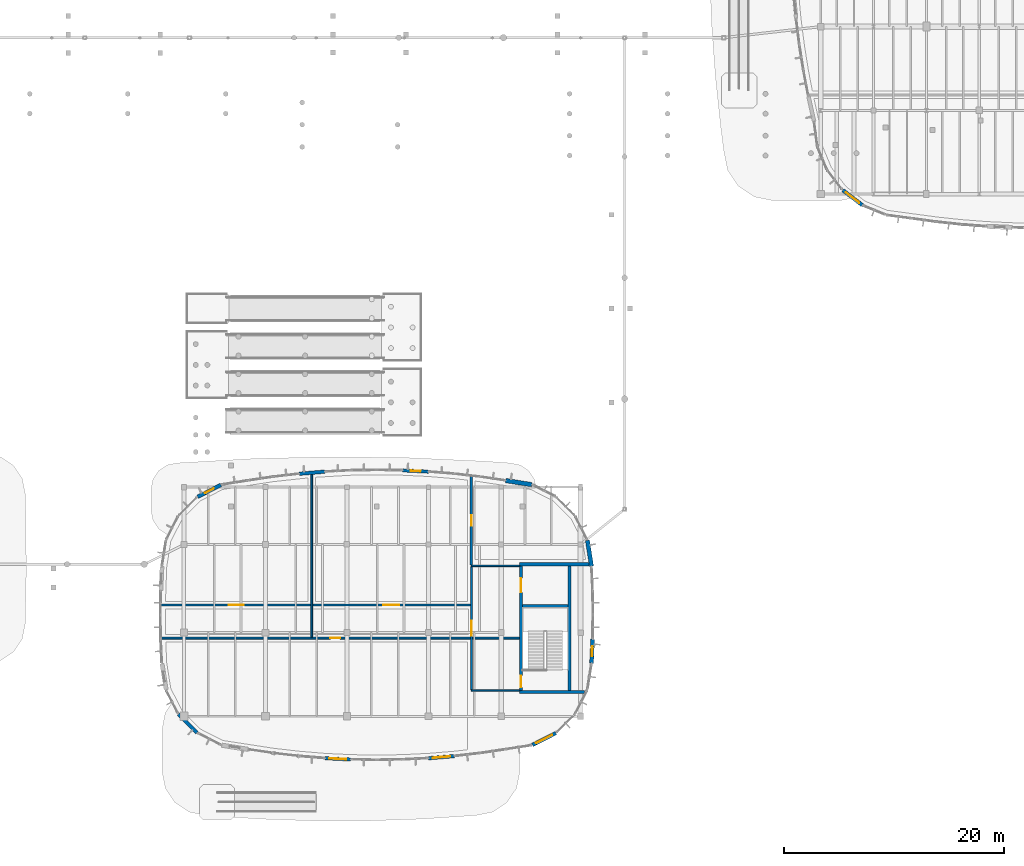
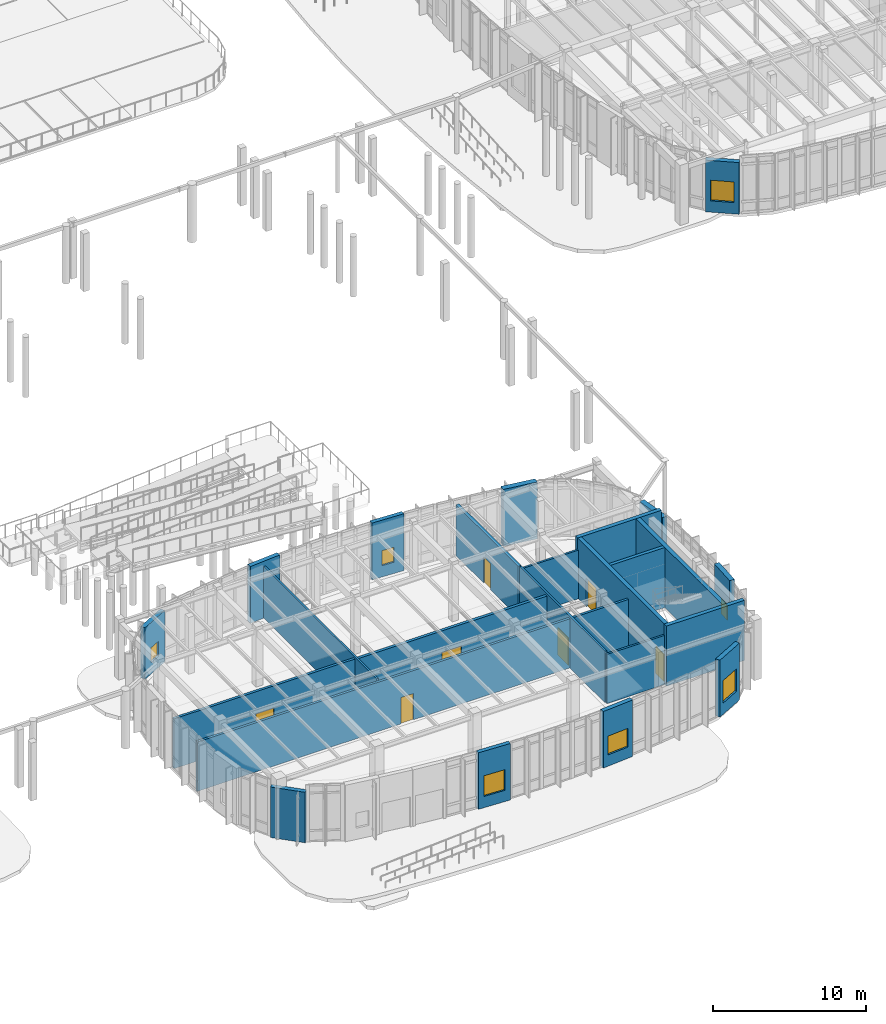
# One storey, part 90 of 120: 24 walls, 7 doors, 7 windows, 14 openings.
"""IFC4 building model written with IfcOpenShell, lengths in metres."""

from ifc_helpers import new_model, si_unit, direction, frame, frame_2d, origin, place, context, subcontext, project, spatial, rectangle, extrude, material, layer, layer_set, type_object, element, fill, save


model = new_model("IFC4")

# Units and contexts
model_context = context("Model", 3, precision=1e-05, world=origin(), true_north=direction((0.0, 1.0)))
body_context = subcontext(model_context, "Body", "Model", "MODEL_VIEW")
ifc_project = project(units=[si_unit("LENGTHUNIT", "METRE"), si_unit("AREAUNIT", "SQUARE_METRE"), si_unit("VOLUMEUNIT", "CUBIC_METRE"), si_unit("PLANEANGLEUNIT", "RADIAN"), si_unit("MASSUNIT", "GRAM", prefix="KILO")], contexts=[model_context])

# Site, building, storey
site_placement = place(None, origin())
site = spatial("IfcSite", under=ifc_project, at=site_placement, CompositionType="ELEMENT")
building_placement = place(site_placement, origin())
building = spatial("IfcBuilding", under=site, at=building_placement, Name="Corveleigh Park Community Centre", CompositionType="ELEMENT")
storey_placement = place(building_placement, origin())
storey = spatial("IfcBuildingStorey", under=building, at=storey_placement, Name="L00", CompositionType="ELEMENT", Elevation=0.0)

# Wall, opening, window
ifc_material_1 = material(Name="Precast concrete C40/50", Category="concrete")
ifc_layer_1 = layer(ifc_material_1, 0.300048828125, Name="Precast concrete C40/50", Category="concrete")
ifc_layer_set_1 = layer_set([ifc_layer_1], Name="Precast concrete C40/50")
wall_type_1 = type_object("IfcWallType", Name="WL-EXT-300", PredefinedType="STANDARD", material=ifc_layer_set_1)
wall_1_placement = place(storey_placement, frame((87.14111328125, 7.278076171875, 0.0), z_axis=(0.0, 0.0, 1.0), x_axis=(-0.998763795086, 0.049707963398, 0.0)))
wall_1 = element("IfcWall", 1, at=wall_1_placement, inside=storey, type_object=wall_type_1, Name="V3 L00 Precast Facade Wall", PredefinedType="STANDARD", context=body_context, shape_type="SweptSolid", body=[
    extrude(rectangle(XDim=2.3330078125, YDim=0.300048828125, at=frame_2d((1.16650390625, 0.0))), origin(), (0.0, 0.0, 1.0), 4.511962890625),
])
opening_1_placement = place(wall_1_placement, frame((0.39208984375, 0.0, 0.89990234375)))
opening_1 = element("IfcOpeningElement", 2, at=opening_1_placement, cuts=wall_1, Name="Opening W12", PredefinedType="OPENING", context=body_context, shape_type="SweptSolid", body=[
    extrude(rectangle(XDim=1.550048828125, YDim=1.64990234375, at=frame_2d((0.77490234375, 0.824951171875))), frame((0.0, 0.159912109375, 0.0), z_axis=(0.0, -1.0, 0.0), x_axis=(1.0, 0.0, 0.0)), (0.0, 0.0, 1.0), 0.320068359375),
])
ifc_material_2 = material(Name="Low-E double glazing", Category="glass")
window_type_1 = type_object("IfcWindowType", Name="WIN-EXT-1550x1650", PartitioningType="SINGLE_PANEL", PredefinedType="WINDOW", material=ifc_material_2)
window_1_placement = place(opening_1_placement, origin())
window_1 = element("IfcWindow", 3, at=window_1_placement, inside=storey, type_object=window_type_1, Name="V3 L00 Window 12", OverallHeight=1.64990234375, OverallWidth=1.550048828125, PartitioningType="SINGLE_PANEL", PredefinedType="WINDOW", context=body_context, shape_type="SweptSolid", body=[
    extrude(rectangle(XDim=1.550048828125, YDim=1.64990234375, at=frame_2d((0.77490234375, 0.824951171875))), frame((0.0, 0.030029296875, 0.0), z_axis=(0.0, -1.0, 0.0), x_axis=(1.0, 0.0, 0.0)), (0.0, 0.0, 1.0), 0.06005859375),
])
fill(opening_1, window_1)

wall_2_placement = place(storey_placement, frame((91.85888671875, 33.52197265625, 0.0), z_axis=(0.0, 0.0, 1.0), x_axis=(0.998763795086, -0.049707963398, 0.0)))
wall_2 = element("IfcWall", 4, at=wall_2_placement, inside=storey, type_object=wall_type_1, Name="V3 L00 Precast Facade Wall", PredefinedType="STANDARD", context=body_context, shape_type="SweptSolid", body=[
    extrude(rectangle(XDim=2.3330078125, YDim=0.300048828125, at=frame_2d((1.16650390625, 0.0))), origin(), (0.0, 0.0, 1.0), 4.537109375),
])
opening_2_placement = place(wall_2_placement, frame((0.717041015625, 0.0, 0.89990234375)))
opening_2 = element("IfcOpeningElement", 5, at=opening_2_placement, cuts=wall_2, Name="Opening W01", PredefinedType="OPENING", context=body_context, shape_type="SweptSolid", body=[
    extrude(rectangle(XDim=0.89990234375, YDim=1.199951171875, at=frame_2d((0.449951171875, 0.60009765625))), frame((0.0, 0.159912109375, 0.0), z_axis=(0.0, -1.0, 0.0), x_axis=(1.0, 0.0, 0.0)), (0.0, 0.0, 1.0), 0.320068359375),
])
window_type_2 = type_object("IfcWindowType", Name="WIN-EXT-0900x1200", PartitioningType="SINGLE_PANEL", PredefinedType="WINDOW", material=ifc_material_2)
window_2_placement = place(opening_2_placement, origin())
window_2 = element("IfcWindow", 6, at=window_2_placement, inside=storey, type_object=window_type_2, Name="V3 L00 Window 16", OverallHeight=1.199951171875, OverallWidth=0.89990234375, PartitioningType="SINGLE_PANEL", PredefinedType="WINDOW", context=body_context, shape_type="SweptSolid", body=[
    extrude(rectangle(XDim=0.89990234375, YDim=1.199951171875, at=frame_2d((0.449951171875, 0.60009765625))), frame((0.0, 0.030029296875, 0.0), z_axis=(0.0, -1.0, 0.0), x_axis=(1.0, 0.0, 0.0)), (0.0, 0.0, 1.0), 0.06005859375),
])
fill(opening_2, window_2)

ifc_layer_2 = layer(ifc_material_1, 0.320068359375, Name="Precast concrete C40/50", Category="concrete")
ifc_layer_set_2 = layer_set([ifc_layer_2], Name="Precast concrete C40/50")
wall_type_2 = type_object("IfcWallType", Name="WL-EXT-320", PredefinedType="STANDARD", material=ifc_layer_set_2)
wall_3_placement = place(storey_placement, frame((96.531005859375, 7.5849609375, 0.0), z_axis=(0.0, 0.0, 1.0), x_axis=(-0.996676640199, -0.081459651862, 0.0)))
wall_3 = element("IfcWall", 7, at=wall_3_placement, inside=storey, type_object=wall_type_2, Name="V3 L00 Precast Facade Wall", PredefinedType="STANDARD", context=body_context, shape_type="SweptSolid", body=[
    extrude(rectangle(XDim=2.331787109375, YDim=0.320068359375, at=frame_2d((1.166015625, 0.0))), origin(), (0.0, 0.0, 1.0), 4.511962890625),
])
opening_3_placement = place(wall_3_placement, frame((0.365966796875, 0.0, 0.89990234375)))
opening_3 = element("IfcOpeningElement", 8, at=opening_3_placement, cuts=wall_3, Name="Opening W13", PredefinedType="OPENING", context=body_context, shape_type="SweptSolid", body=[
    extrude(rectangle(XDim=1.60009765625, YDim=1.5, at=frame_2d((0.800048828125, 0.75))), frame((0.0, 0.169921875, 0.0), z_axis=(0.0, -1.0, 0.0), x_axis=(1.0, 0.0, 0.0)), (0.0, 0.0, 1.0), 0.340087890625),
])
window_type_3 = type_object("IfcWindowType", Name="WIN-EXT-1600x1500", PartitioningType="SINGLE_PANEL", PredefinedType="WINDOW", material=ifc_material_2)
window_3_placement = place(opening_3_placement, origin())
window_3 = element("IfcWindow", 9, at=window_3_placement, inside=storey, type_object=window_type_3, Name="V3 L00 Window 13", OverallHeight=1.5, OverallWidth=1.60009765625, PartitioningType="SINGLE_PANEL", PredefinedType="WINDOW", context=body_context, shape_type="SweptSolid", body=[
    extrude(rectangle(XDim=1.60009765625, YDim=1.5, at=frame_2d((0.800048828125, 0.75))), frame((0.0, 0.030029296875, 0.0), z_axis=(0.0, -1.0, 0.0), x_axis=(1.0, 0.0, 0.0)), (0.0, 0.0, 1.0), 0.06005859375),
])
fill(opening_3, window_3)

# Walls
wall_4_placement = place(storey_placement, frame((82.468994140625, 33.215087890625, 0.0), z_axis=(0.0, 0.0, 1.0), x_axis=(0.996676640199, 0.081459651862, 0.0)))
element("IfcWall", 10, at=wall_4_placement, inside=storey, type_object=wall_type_2, Name="V3 L00 Precast Facade Wall", PredefinedType="STANDARD", context=body_context, shape_type="SweptSolid", body=[
    extrude(rectangle(XDim=2.331787109375, YDim=0.320068359375, at=frame_2d((1.166015625, 0.0))), origin(), (0.0, 0.0, 1.0), 4.537109375),
])
wall_5_placement = place(storey_placement, frame((73.18798828125, 9.717041015625, 0.0), z_axis=(0.0, 0.0, 1.0), x_axis=(-0.707106781187, 0.707106781187, 0.0)))
element("IfcWall", 11, at=wall_5_placement, inside=storey, type_object=wall_type_2, Name="V3 L00 Precast Facade Wall", PredefinedType="STANDARD", context=body_context, shape_type="SweptSolid", body=[
    extrude(rectangle(XDim=2.363037109375, YDim=0.320068359375, at=frame_2d((1.181640625, 0.0))), origin(), (0.0, 0.0, 1.0), 4.030029296875),
])

# Wall, opening, window
ifc_layer_3 = layer(ifc_material_1, 0.340087890625, Name="Precast concrete C40/50", Category="concrete")
ifc_layer_set_3 = layer_set([ifc_layer_3], Name="Precast concrete C40/50")
wall_type_3 = type_object("IfcWallType", Name="WL-EXT-340", PredefinedType="STANDARD", material=ifc_layer_set_3)
wall_6_placement = place(storey_placement, frame((105.7509765625, 9.673095703125, 0.0), z_axis=(0.0, 0.0, 1.0), x_axis=(-0.890931537231, -0.454137639893, 0.0)))
wall_6 = element("IfcWall", 12, at=wall_6_placement, inside=storey, type_object=wall_type_3, Name="V3 L00 Precast Facade Wall", PredefinedType="STANDARD", context=body_context, shape_type="SweptSolid", body=[
    extrude(rectangle(XDim=2.36474609375, YDim=0.340087890625, at=frame_2d((1.182373046875, 0.0))), origin(), (0.0, 0.0, 1.0), 4.5419921875),
])
opening_4_placement = place(wall_6_placement, frame((0.35791015625, 0.0, 0.89990234375)))
opening_4 = element("IfcOpeningElement", 13, at=opening_4_placement, cuts=wall_6, Name="Opening W14", PredefinedType="OPENING", context=body_context, shape_type="SweptSolid", body=[
    extrude(rectangle(XDim=1.64990234375, YDim=1.800048828125, at=frame_2d((0.824951171875, 0.89990234375))), frame((0.0, 0.179931640625, 0.0), z_axis=(0.0, -1.0, 0.0), x_axis=(1.0, 0.0, 0.0)), (0.0, 0.0, 1.0), 0.360107421875),
])
window_type_4 = type_object("IfcWindowType", Name="WIN-EXT-1650x1800", PartitioningType="SINGLE_PANEL", PredefinedType="WINDOW", material=ifc_material_2)
window_4_placement = place(opening_4_placement, origin())
window_4 = element("IfcWindow", 14, at=window_4_placement, inside=storey, type_object=window_type_4, Name="V3 L00 Window 14", OverallHeight=1.800048828125, OverallWidth=1.64990234375, PartitioningType="SINGLE_PANEL", PredefinedType="WINDOW", context=body_context, shape_type="SweptSolid", body=[
    extrude(rectangle(XDim=1.64990234375, YDim=1.800048828125, at=frame_2d((0.824951171875, 0.89990234375))), frame((0.0, 0.030029296875, 0.0), z_axis=(0.0, -1.0, 0.0), x_axis=(1.0, 0.0, 0.0)), (0.0, 0.0, 1.0), 0.06005859375),
])
fill(opening_4, window_4)

wall_7_placement = place(storey_placement, frame((73.2490234375, 31.126953125, 0.0), z_axis=(0.0, 0.0, 1.0), x_axis=(0.890931537231, 0.454137639893, 0.0)))
wall_7 = element("IfcWall", 15, at=wall_7_placement, inside=storey, type_object=wall_type_3, Name="V3 L00 Precast Facade Wall", PredefinedType="STANDARD", context=body_context, shape_type="SweptSolid", body=[
    extrude(rectangle(XDim=2.36474609375, YDim=0.340087890625, at=frame_2d((1.182373046875, 0.0))), origin(), (0.0, 0.0, 1.0), 4.115966796875),
])
opening_5_placement = place(wall_7_placement, frame((0.73291015625, 0.0, 0.89990234375)))
opening_5 = element("IfcOpeningElement", 16, at=opening_5_placement, cuts=wall_7, Name="Opening W01", PredefinedType="OPENING", context=body_context, shape_type="SweptSolid", body=[
    extrude(rectangle(XDim=0.89990234375, YDim=1.199951171875, at=frame_2d((0.449951171875, 0.60009765625))), frame((0.0, 0.179931640625, 0.0), z_axis=(0.0, -1.0, 0.0), x_axis=(1.0, 0.0, 0.0)), (0.0, 0.0, 1.0), 0.360107421875),
])
window_5_placement = place(opening_5_placement, origin())
window_5 = element("IfcWindow", 17, at=window_5_placement, inside=storey, type_object=window_type_2, Name="V3 L00 Window 17", OverallHeight=1.199951171875, OverallWidth=0.89990234375, PartitioningType="SINGLE_PANEL", PredefinedType="WINDOW", context=body_context, shape_type="SweptSolid", body=[
    extrude(rectangle(XDim=0.89990234375, YDim=1.199951171875, at=frame_2d((0.449951171875, 0.60009765625))), frame((0.0, 0.030029296875, 0.0), z_axis=(0.0, -1.0, 0.0), x_axis=(1.0, 0.0, 0.0)), (0.0, 0.0, 1.0), 0.06005859375),
])
fill(opening_5, window_5)

wall_8_placement = place(storey_placement, frame((133.574951171875, 57.597900390625, 0.0), z_axis=(0.0, 0.0, 1.0), x_axis=(-0.793423440591, 0.608670061627, 0.0)))
wall_8 = element("IfcWall", 18, at=wall_8_placement, inside=storey, type_object=wall_type_3, Name="V4 L00 Precast Facade Wall", PredefinedType="STANDARD", context=body_context, shape_type="SweptSolid", body=[
    extrude(rectangle(XDim=2.234619140625, YDim=0.340087890625, at=frame_2d((1.1171875, 0.0))), origin(), (0.0, 0.0, 1.0), 4.125),
])
opening_6_placement = place(wall_8_placement, frame((0.342041015625, 0.0, 0.89990234375)))
opening_6 = element("IfcOpeningElement", 19, at=opening_6_placement, cuts=wall_8, Name="Opening W12", PredefinedType="OPENING", context=body_context, shape_type="SweptSolid", body=[
    extrude(rectangle(XDim=1.550048828125, YDim=1.64990234375, at=frame_2d((0.77490234375, 0.824951171875))), frame((0.0, 0.179931640625, 0.0), z_axis=(0.0, -1.0, 0.0), x_axis=(1.0, 0.0, 0.0)), (0.0, 0.0, 1.0), 0.360107421875),
])
window_6_placement = place(opening_6_placement, origin())
window_6 = element("IfcWindow", 20, at=window_6_placement, inside=storey, type_object=window_type_1, Name="V4 L00 Window 36", OverallHeight=1.64990234375, OverallWidth=1.550048828125, PartitioningType="SINGLE_PANEL", PredefinedType="WINDOW", context=body_context, shape_type="SweptSolid", body=[
    extrude(rectangle(XDim=1.550048828125, YDim=1.64990234375, at=frame_2d((0.77490234375, 0.824951171875))), frame((0.0, 0.030029296875, 0.0), z_axis=(0.0, -1.0, 0.0), x_axis=(1.0, 0.0, 0.0)), (0.0, 0.0, 1.0), 0.06005859375),
])
fill(opening_6, window_6)

ifc_layer_4 = layer(ifc_material_1, 0.360107421875, Name="Precast concrete C40/50", Category="concrete")
ifc_layer_set_4 = layer_set([ifc_layer_4], Name="Precast concrete C40/50")
wall_type_4 = type_object("IfcWallType", Name="WL-EXT-360", PredefinedType="STANDARD", material=ifc_layer_set_4)
wall_9_placement = place(storey_placement, frame((109.10107421875, 18.18994140625, 0.0), z_axis=(0.0, 0.0, 1.0), x_axis=(-0.046018611105, -0.998940582533, 0.0)))
wall_9 = element("IfcWall", 21, at=wall_9_placement, inside=storey, type_object=wall_type_4, Name="V3 L00 Precast Facade Wall", PredefinedType="STANDARD", context=body_context, shape_type="SweptSolid", body=[
    extrude(rectangle(XDim=2.175048828125, YDim=0.360107421875, at=frame_2d((1.08740234375, 0.0))), origin(), (0.0, 0.0, 1.0), 4.511962890625),
])
opening_7_placement = place(wall_9_placement, frame((0.636962890625, 0.0, 0.89990234375)))
opening_7 = element("IfcOpeningElement", 22, at=opening_7_placement, cuts=wall_9, Name="Opening W01", PredefinedType="OPENING", context=body_context, shape_type="SweptSolid", body=[
    extrude(rectangle(XDim=0.89990234375, YDim=1.199951171875, at=frame_2d((0.449951171875, 0.60009765625))), frame((0.0, 0.18994140625, 0.0), z_axis=(0.0, -1.0, 0.0), x_axis=(1.0, 0.0, 0.0)), (0.0, 0.0, 1.0), 0.380126953125),
])
window_7_placement = place(opening_7_placement, origin())
window_7 = element("IfcWindow", 23, at=window_7_placement, inside=storey, type_object=window_type_2, Name="V3 L00 Window 15", OverallHeight=1.199951171875, OverallWidth=0.89990234375, PartitioningType="SINGLE_PANEL", PredefinedType="WINDOW", context=body_context, shape_type="SweptSolid", body=[
    extrude(rectangle(XDim=0.89990234375, YDim=1.199951171875, at=frame_2d((0.449951171875, 0.60009765625))), frame((0.0, 0.030029296875, 0.0), z_axis=(0.0, -1.0, 0.0), x_axis=(1.0, 0.0, 0.0)), (0.0, 0.0, 1.0), 0.06005859375),
])
fill(opening_7, window_7)

# Walls
ifc_layer_5 = layer(ifc_material_1, 0.3798828125, Name="Precast concrete C40/50", Category="concrete")
ifc_layer_set_5 = layer_set([ifc_layer_5], Name="Precast concrete C40/50")
wall_type_5 = type_object("IfcWallType", Name="WL-EXT-380", PredefinedType="STANDARD", material=ifc_layer_set_5)
wall_10_placement = place(storey_placement, frame((108.6240234375, 27.172119140625, 0.0), z_axis=(0.0, 0.0, 1.0), x_axis=(0.156440987447, -0.987687307525, 0.0)))
element("IfcWall", 24, at=wall_10_placement, inside=storey, type_object=wall_type_5, Name="V3 L00 Precast Facade Wall", PredefinedType="STANDARD", context=body_context, shape_type="SweptSolid", body=[
    extrude(rectangle(XDim=2.384521484375, YDim=0.3798828125, at=frame_2d((1.1923828125, 0.0))), origin(), (0.0, 0.0, 1.0), 4.22509765625),
])
ifc_material_3 = material(Name="Concrete C40/50", Category="concrete")
ifc_layer_6 = layer(ifc_material_3, 0.39990234375, Name="Concrete C40/50", Category="concrete")
ifc_layer_set_6 = layer_set([ifc_layer_6], Name="Concrete C40/50")
wall_type_6 = type_object("IfcWallType", Name="WL-EXT-400", PredefinedType="STANDARD", material=ifc_layer_set_6)
wall_11_placement = place(storey_placement, frame((101.20703125, 32.59912109375, 0.0), z_axis=(0.0, 0.0, 1.0), x_axis=(0.987661073589, -0.15660652514, 0.0)))
element("IfcWall", 25, at=wall_11_placement, inside=storey, type_object=wall_type_6, Name="V3 L00 Precast Facade Wall", PredefinedType="STANDARD", context=body_context, shape_type="SweptSolid", body=[
    extrude(rectangle(XDim=2.39453125, YDim=0.39990234375, at=frame_2d((1.197265625, 0.0))), origin(), (0.0, 0.0, 1.0), 4.537109375),
])
ifc_material_4 = material(Name="Gypsum acoustic stud partition", Category="gypsum")
ifc_layer_7 = layer(ifc_material_4, 0.139892578125, Name="Gypsum acoustic stud partition", Category="gypsum")
ifc_layer_set_7 = layer_set([ifc_layer_7], Name="Gypsum acoustic stud partition")
wall_type_7 = type_object("IfcWallType", Name="WL-PRT-140", PredefinedType="PARTITIONING", material=ifc_layer_set_7)
wall_12_placement = place(storey_placement, frame((83.60009765625, 18.3779296875, 0.0), z_axis=(0.0, 0.0, 1.0), x_axis=(0.0, 1.0, 0.0)))
element("IfcWall", 26, at=wall_12_placement, inside=storey, type_object=wall_type_7, Name="Parkside Community Cafe partition", PredefinedType="PARTITIONING", context=body_context, shape_type="SweptSolid", body=[
    extrude(rectangle(XDim=14.781005859375, YDim=0.139892578125, at=frame_2d((7.390625, 0.0))), origin(), (0.0, 0.0, 1.0), 4.112060546875),
])
ifc_layer_8 = layer(ifc_material_4, 0.14990234375, Name="Gypsum acoustic stud partition", Category="gypsum")
ifc_layer_set_8 = layer_set([ifc_layer_8], Name="Gypsum acoustic stud partition")
wall_type_8 = type_object("IfcWallType", Name="WL-PRT-150", PredefinedType="PARTITIONING", material=ifc_layer_set_8)
wall_13_placement = place(storey_placement, frame((98.10009765625, 13.550048828125, 0.0), z_axis=(0.0, 0.0, 1.0), x_axis=(1.0, 0.0, 0.0)))
element("IfcWall", 27, at=wall_13_placement, inside=storey, type_object=wall_type_8, Name="CORE4 lobby south wall", PredefinedType="PARTITIONING", context=body_context, shape_type="SweptSolid", body=[
    extrude(rectangle(XDim=4.364990234375, YDim=0.14990234375, at=frame_2d((2.1826171875, 0.0))), origin(), (0.0, 0.0, 1.0), 3.929931640625),
])
wall_14_placement = place(storey_placement, frame((102.465087890625, 24.85009765625, 0.0), z_axis=(0.0, 0.0, 1.0), x_axis=(-1.0, 0.0, 0.0)))
element("IfcWall", 28, at=wall_14_placement, inside=storey, type_object=wall_type_8, Name="CORE4 lobby north wall", PredefinedType="PARTITIONING", context=body_context, shape_type="SweptSolid", body=[
    extrude(rectangle(XDim=4.364990234375, YDim=0.14990234375, at=frame_2d((2.1826171875, 0.0))), origin(), (0.0, 0.0, 1.0), 3.8798828125),
])

# Wall, opening, door
wall_15_placement = place(storey_placement, frame((98.10009765625, 24.77001953125, 0.0), z_axis=(0.0, 0.0, 1.0), x_axis=(0.0, -1.0, 0.0)))
wall_15 = element("IfcWall", 29, at=wall_15_placement, inside=storey, type_object=wall_type_8, Name="CORE4 lobby corridor wall", PredefinedType="PARTITIONING", context=body_context, shape_type="SweptSolid", body=[
    extrude(rectangle(XDim=11.14013671875, YDim=0.14990234375, at=frame_2d((5.570068359375, 0.0))), origin(), (0.0, 0.0, 1.0), 4.116943359375),
])
opening_8_placement = place(wall_15_placement, frame((4.8798828125, 0.0, 0.0)))
opening_8 = element("IfcOpeningElement", 30, at=opening_8_placement, cuts=wall_15, Name="Opening FD02", PredefinedType="OPENING", context=body_context, shape_type="SweptSolid", body=[
    extrude(rectangle(XDim=1.3798828125, YDim=2.199951171875, at=frame_2d((0.68994140625, 1.10009765625))), frame((0.0, 0.0849609375, 0.0), z_axis=(0.0, -1.0, 0.0), x_axis=(1.0, 0.0, 0.0)), (0.0, 0.0, 1.0), 0.169921875),
])
ifc_material_5 = material(Name="Hardwood acoustic door leaf", Category="wood")
door_type_1 = type_object("IfcDoorType", Name="DR-FIR-1380x2200", OperationType="DOUBLE_DOOR_SINGLE_SWING", PredefinedType="DOOR", material=ifc_material_5)
door_1_placement = place(opening_8_placement, origin())
door_1 = element("IfcDoor", 31, at=door_1_placement, inside=storey, type_object=door_type_1, Name="Lobby CORE4 corridor door L00", OperationType="DOUBLE_DOOR_SINGLE_SWING", OverallHeight=2.199951171875, OverallWidth=1.3798828125, PredefinedType="DOOR", context=body_context, shape_type="SweptSolid", body=[
    extrude(rectangle(XDim=1.3798828125, YDim=2.199951171875, at=frame_2d((0.68994140625, 1.10009765625))), frame((0.0, 0.02490234375, 0.0), z_axis=(0.0, -1.0, 0.0), x_axis=(1.0, 0.0, 0.0)), (0.0, 0.0, 1.0), 0.050048828125),
])
fill(opening_8, door_1)

ifc_layer_9 = layer(ifc_material_4, 0.179931640625, Name="Gypsum acoustic stud partition", Category="gypsum")
ifc_layer_set_9 = layer_set([ifc_layer_9], Name="Gypsum acoustic stud partition")
wall_type_9 = type_object("IfcWallType", Name="WL-PRT-180", PredefinedType="PARTITIONING", material=ifc_layer_set_9)
wall_16_placement = place(storey_placement, frame((69.89794921875, 18.300048828125, 0.0), z_axis=(0.0, 0.0, 1.0), x_axis=(1.0, 0.0, 0.0)))
wall_16 = element("IfcWall", 32, at=wall_16_placement, inside=storey, type_object=wall_type_9, Name="Community Dining Hall corridor wall", PredefinedType="PARTITIONING", context=body_context, shape_type="SweptSolid", body=[
    extrude(rectangle(XDim=32.56396484375, YDim=0.179931640625, at=frame_2d((16.281982421875, 0.0))), origin(), (0.0, 0.0, 1.0), 3.929931640625),
])
opening_9_placement = place(wall_16_placement, frame((15.3720703125, 0.0, 0.0)))
opening_9 = element("IfcOpeningElement", 33, at=opening_9_placement, cuts=wall_16, Name="Opening FD09", PredefinedType="OPENING", context=body_context, shape_type="SweptSolid", body=[
    extrude(rectangle(XDim=0.93994140625, YDim=2.10009765625, at=frame_2d((0.469970703125, 1.050048828125))), frame((0.0, 0.099853515625, 0.0), z_axis=(0.0, -1.0, 0.0), x_axis=(1.0, 0.0, 0.0)), (0.0, 0.0, 1.0), 0.199951171875),
])
door_type_2 = type_object("IfcDoorType", Name="DR-FIR-0940x2100", OperationType="NOTDEFINED", PredefinedType="DOOR", material=ifc_material_5)
door_2_placement = place(opening_9_placement, origin())
door_2 = element("IfcDoor", 34, at=door_2_placement, inside=storey, type_object=door_type_2, Name="Community Dining Hall door", OperationType="SINGLE_SWING_LEFT", OverallHeight=2.10009765625, OverallWidth=0.93994140625, PredefinedType="DOOR", context=body_context, shape_type="SweptSolid", body=[
    extrude(rectangle(XDim=0.93994140625, YDim=2.10009765625, at=frame_2d((0.469970703125, 1.050048828125))), frame((0.0, 0.02490234375, 0.0), z_axis=(0.0, -1.0, 0.0), x_axis=(1.0, 0.0, 0.0)), (0.0, 0.0, 1.0), 0.050048828125),
])
fill(opening_9, door_2)

ifc_material_6 = material(Name="Masonry blockwork 7.3 MPa", Category="masonry")
ifc_layer_10 = layer(ifc_material_6, 0.195068359375, Name="Masonry blockwork 7.3 MPa", Category="masonry")
ifc_layer_set_10 = layer_set([ifc_layer_10], Name="Masonry blockwork 7.3 MPa")
wall_type_10 = type_object("IfcWallType", Name="WL-PRT-195", PredefinedType="PARTITIONING", material=ifc_layer_set_10)
wall_17_placement = place(storey_placement, frame((83.60009765625, 21.300048828125, 0.0), z_axis=(0.0, 0.0, 1.0), x_axis=(-1.0, 0.0, 0.0)))
wall_17 = element("IfcWall", 35, at=wall_17_placement, inside=storey, type_object=wall_type_10, Name="Parkside Community Cafe corridor wall", PredefinedType="PARTITIONING", context=body_context, shape_type="SweptSolid", body=[
    extrude(rectangle(XDim=13.72119140625, YDim=0.195068359375, at=frame_2d((6.860595703125, 0.0))), origin(), (0.0, 0.0, 1.0), 3.97998046875),
])
opening_10_placement = place(wall_17_placement, frame((6.169921875, 0.0, 0.0)))
opening_10 = element("IfcOpeningElement", 36, at=opening_10_placement, cuts=wall_17, Name="Opening FD02", PredefinedType="OPENING", context=body_context, shape_type="SweptSolid", body=[
    extrude(rectangle(XDim=1.3798828125, YDim=2.199951171875, at=frame_2d((0.68994140625, 1.10009765625))), frame((0.0, 0.107421875, 0.0), z_axis=(0.0, -1.0, 0.0), x_axis=(1.0, 0.0, 0.0)), (0.0, 0.0, 1.0), 0.215087890625),
])
door_3_placement = place(opening_10_placement, origin())
door_3 = element("IfcDoor", 37, at=door_3_placement, inside=storey, type_object=door_type_1, Name="Parkside Community Cafe door", OperationType="DOUBLE_DOOR_SINGLE_SWING", OverallHeight=2.199951171875, OverallWidth=1.3798828125, PredefinedType="DOOR", context=body_context, shape_type="SweptSolid", body=[
    extrude(rectangle(XDim=1.3798828125, YDim=2.199951171875, at=frame_2d((0.68994140625, 1.10009765625))), frame((0.0, 0.02490234375, 0.0), z_axis=(0.0, -1.0, 0.0), x_axis=(1.0, 0.0, 0.0)), (0.0, 0.0, 1.0), 0.050048828125),
])
fill(opening_10, door_3)

ifc_layer_11 = layer(ifc_material_6, 0.215087890625, Name="Masonry blockwork 7.3 MPa", Category="masonry")
ifc_layer_set_11 = layer_set([ifc_layer_11], Name="Masonry blockwork 7.3 MPa")
wall_type_11 = type_object("IfcWallType", Name="WL-PRT-215", PredefinedType="PARTITIONING", material=ifc_layer_set_11)
wall_18_placement = place(storey_placement, frame((98.037109375, 21.300048828125, 0.0), z_axis=(0.0, 0.0, 1.0), x_axis=(-1.0, 0.0, 0.0)))
wall_18 = element("IfcWall", 38, at=wall_18_placement, inside=storey, type_object=wall_type_11, Name="Commercial Catering Kitchen corridor wall", PredefinedType="PARTITIONING", context=body_context, shape_type="SweptSolid", body=[
    extrude(rectangle(XDim=14.43701171875, YDim=0.215087890625, at=frame_2d((7.218505859375, 0.0))), origin(), (0.0, 0.0, 1.0), 3.929931640625),
])
opening_11_placement = place(wall_18_placement, frame((6.47900390625, 0.0, 0.0)))
opening_11 = element("IfcOpeningElement", 39, at=opening_11_placement, cuts=wall_18, Name="Opening FD01", PredefinedType="OPENING", context=body_context, shape_type="SweptSolid", body=[
    extrude(rectangle(XDim=1.47998046875, YDim=2.219970703125, at=frame_2d((0.739990234375, 1.10986328125))), frame((0.0, 0.117431640625, 0.0), z_axis=(0.0, -1.0, 0.0), x_axis=(1.0, 0.0, 0.0)), (0.0, 0.0, 1.0), 0.235107421875),
])
door_type_3 = type_object("IfcDoorType", Name="DR-FIR-1480x2220", OperationType="DOUBLE_DOOR_SINGLE_SWING", PredefinedType="DOOR", material=ifc_material_5)
door_4_placement = place(opening_11_placement, origin())
door_4 = element("IfcDoor", 40, at=door_4_placement, inside=storey, type_object=door_type_3, Name="Commercial Catering Kitchen door", OperationType="DOUBLE_DOOR_SINGLE_SWING", OverallHeight=2.219970703125, OverallWidth=1.47998046875, PredefinedType="DOOR", context=body_context, shape_type="SweptSolid", body=[
    extrude(rectangle(XDim=1.47998046875, YDim=2.219970703125, at=frame_2d((0.739990234375, 1.10986328125))), frame((0.0, 0.02490234375, 0.0), z_axis=(0.0, -1.0, 0.0), x_axis=(1.0, 0.0, 0.0)), (0.0, 0.0, 1.0), 0.050048828125),
])
fill(opening_11, door_4)

ifc_layer_12 = layer(ifc_material_6, 0.22998046875, Name="Masonry blockwork 7.3 MPa", Category="masonry")
ifc_layer_set_12 = layer_set([ifc_layer_12], Name="Masonry blockwork 7.3 MPa")
wall_type_12 = type_object("IfcWallType", Name="WL-PRT-230", PredefinedType="PARTITIONING", material=ifc_layer_set_12)
wall_19_placement = place(storey_placement, frame((98.10009765625, 24.9130859375, 0.0), z_axis=(0.0, 0.0, 1.0), x_axis=(0.0, 1.0, 0.0)))
wall_19 = element("IfcWall", 41, at=wall_19_placement, inside=storey, type_object=wall_type_12, Name="Kitchen Goods Receiving Bay corridor wall", PredefinedType="PARTITIONING", context=body_context, shape_type="SweptSolid", body=[
    extrude(rectangle(XDim=8.120849609375, YDim=0.22998046875, at=frame_2d((4.060546875, 0.0))), origin(), (0.0, 0.0, 1.0), 4.068115234375),
])
opening_12_placement = place(wall_19_placement, frame((3.590087890625, 0.0, 0.0)))
opening_12 = element("IfcOpeningElement", 42, at=opening_12_placement, cuts=wall_19, Name="Opening FD09", PredefinedType="OPENING", context=body_context, shape_type="SweptSolid", body=[
    extrude(rectangle(XDim=0.93994140625, YDim=2.10009765625, at=frame_2d((0.469970703125, 1.050048828125))), frame((0.0, 0.125, 0.0), z_axis=(0.0, -1.0, 0.0), x_axis=(1.0, 0.0, 0.0)), (0.0, 0.0, 1.0), 0.25),
])
door_5_placement = place(opening_12_placement, origin())
door_5 = element("IfcDoor", 43, at=door_5_placement, inside=storey, type_object=door_type_2, Name="Kitchen Goods Receiving Bay door", OperationType="SINGLE_SWING_RIGHT", OverallHeight=2.10009765625, OverallWidth=0.93994140625, PredefinedType="DOOR", context=body_context, shape_type="SweptSolid", body=[
    extrude(rectangle(XDim=0.93994140625, YDim=2.10009765625, at=frame_2d((0.469970703125, 1.050048828125))), frame((0.0, 0.02490234375, 0.0), z_axis=(0.0, -1.0, 0.0), x_axis=(1.0, 0.0, 0.0)), (0.0, 0.0, 1.0), 0.050048828125),
])
fill(opening_12, door_5)

# Walls
ifc_layer_13 = layer(ifc_material_3, 0.25, Name="Concrete C40/50", Category="concrete")
ifc_layer_set_13 = layer_set([ifc_layer_13], Name="Concrete C40/50")
wall_type_13 = type_object("IfcWallType", Name="WL-SHR-250", PredefinedType="SHEAR", material=ifc_layer_set_13)
wall_20_placement = place(storey_placement, frame((102.75, 21.199951171875, 0.0), z_axis=(0.0, 0.0, 1.0), x_axis=(1.0, 0.0, 0.0)))
element("IfcWall", 44, at=wall_20_placement, inside=storey, type_object=wall_type_13, Name="CORE4 shaft wall", PredefinedType="SHEAR", context=body_context, shape_type="SweptSolid", body=[
    extrude(rectangle(XDim=4.10009765625, YDim=0.25, at=frame_2d((2.050048828125, 0.0))), origin(), (0.0, 0.0, 1.0), 4.800048828125),
])
ifc_layer_14 = layer(ifc_material_3, 0.300048828125, Name="Concrete C40/50", Category="concrete")
ifc_layer_set_14 = layer_set([ifc_layer_14], Name="Concrete C40/50")
wall_type_14 = type_object("IfcWallType", Name="WL-SHR-300", PredefinedType="SHEAR", material=ifc_layer_set_14)
wall_21_placement = place(storey_placement, frame((102.449951171875, 13.39990234375, 0.0), z_axis=(0.0, 0.0, 1.0), x_axis=(1.0, 0.0, 0.0)))
element("IfcWall", 45, at=wall_21_placement, inside=storey, type_object=wall_type_14, Name="CORE4 south shear wall", PredefinedType="SHEAR", context=body_context, shape_type="SweptSolid", body=[
    extrude(rectangle(XDim=5.89111328125, YDim=0.300048828125, at=frame_2d((2.945556640625, 0.0))), origin(), (0.0, 0.0, 1.0), 4.800048828125),
])
wall_22_placement = place(storey_placement, frame((107.0, 13.550048828125, 0.0), z_axis=(0.0, 0.0, 1.0), x_axis=(0.0, 1.0, 0.0)))
element("IfcWall", 46, at=wall_22_placement, inside=storey, type_object=wall_type_14, Name="CORE4 east shear wall", PredefinedType="SHEAR", context=body_context, shape_type="SweptSolid", body=[
    extrude(rectangle(XDim=11.300048828125, YDim=0.300048828125, at=frame_2d((5.64990234375, 0.0))), origin(), (0.0, 0.0, 1.0), 4.800048828125),
])
wall_23_placement = place(storey_placement, frame((108.7880859375, 25.0, 0.0), z_axis=(0.0, 0.0, 1.0), x_axis=(-1.0, 0.0, 0.0)))
element("IfcWall", 47, at=wall_23_placement, inside=storey, type_object=wall_type_14, Name="CORE4 north shear wall", PredefinedType="SHEAR", context=body_context, shape_type="SweptSolid", body=[
    extrude(rectangle(XDim=6.338134765625, YDim=0.300048828125, at=frame_2d((3.1689453125, 0.0))), origin(), (0.0, 0.0, 1.0), 4.800048828125),
])

# Wall, openings, doors
wall_24_placement = place(storey_placement, frame((102.60009765625, 24.85009765625, 0.0), z_axis=(0.0, 0.0, 1.0), x_axis=(0.0, -1.0, 0.0)))
wall_24 = element("IfcWall", 48, at=wall_24_placement, inside=storey, type_object=wall_type_14, Name="CORE4 west lobby wall", PredefinedType="SHEAR", context=body_context, shape_type="SweptSolid", body=[
    extrude(rectangle(XDim=11.300048828125, YDim=0.300048828125, at=frame_2d((5.64990234375, 0.0))), origin(), (0.0, 0.0, 1.0), 4.800048828125),
])
opening_13_placement = place(wall_24_placement, frame((1.10009765625, 0.0, 0.0)))
opening_13 = element("IfcOpeningElement", 49, at=opening_13_placement, cuts=wall_24, Name="Opening LD03", PredefinedType="OPENING", context=body_context, shape_type="SweptSolid", body=[
    extrude(rectangle(XDim=1.300048828125, YDim=2.25, at=frame_2d((0.64990234375, 1.125))), frame((0.0, 0.159912109375, 0.0), z_axis=(0.0, -1.0, 0.0), x_axis=(1.0, 0.0, 0.0)), (0.0, 0.0, 1.0), 0.320068359375),
])
opening_14_placement = place(wall_24_placement, frame((9.969970703125, 0.0, 0.0)))
opening_14 = element("IfcOpeningElement", 50, at=opening_14_placement, cuts=wall_24, Name="Opening FD04", PredefinedType="OPENING", context=body_context, shape_type="SweptSolid", body=[
    extrude(rectangle(XDim=1.06005859375, YDim=2.14990234375, at=frame_2d((0.530029296875, 1.074951171875))), frame((0.0, 0.159912109375, 0.0), z_axis=(0.0, -1.0, 0.0), x_axis=(1.0, 0.0, 0.0)), (0.0, 0.0, 1.0), 0.320068359375),
])
door_type_4 = type_object("IfcDoorType", Name="DR-FIR-1060x2150", OperationType="NOTDEFINED", PredefinedType="DOOR", material=ifc_material_5)
door_6_placement = place(opening_14_placement, origin())
door_6 = element("IfcDoor", 51, at=door_6_placement, inside=storey, type_object=door_type_4, Name="Stair ST4 fire door L00", OperationType="SINGLE_SWING_RIGHT", OverallHeight=2.14990234375, OverallWidth=1.06005859375, PredefinedType="DOOR", context=body_context, shape_type="SweptSolid", body=[
    extrude(rectangle(XDim=1.06005859375, YDim=2.14990234375, at=frame_2d((0.530029296875, 1.074951171875))), frame((0.0, 0.02490234375, 0.0), z_axis=(0.0, -1.0, 0.0), x_axis=(1.0, 0.0, 0.0)), (0.0, 0.0, 1.0), 0.050048828125),
])
fill(opening_14, door_6)
ifc_material_7 = material(Name="Brushed stainless steel lift car", Category="steel")
door_type_5 = type_object("IfcDoorType", Name="DR-LFT-1300x2250", OperationType="DOUBLE_DOOR_SLIDING", PredefinedType="DOOR", material=ifc_material_7)
door_7_placement = place(opening_13_placement, origin())
door_7 = element("IfcDoor", 52, at=door_7_placement, inside=storey, type_object=door_type_5, Name="Lift GL1 landing door L00", OperationType="DOUBLE_DOOR_SLIDING", OverallHeight=2.25, OverallWidth=1.300048828125, PredefinedType="DOOR", context=body_context, shape_type="SweptSolid", body=[
    extrude(rectangle(XDim=1.300048828125, YDim=2.25, at=frame_2d((0.64990234375, 1.125))), frame((0.0, 0.02490234375, 0.0), z_axis=(0.0, -1.0, 0.0), x_axis=(1.0, 0.0, 0.0)), (0.0, 0.0, 1.0), 0.050048828125),
])
fill(opening_13, door_7)

save(model, "model.ifc")
